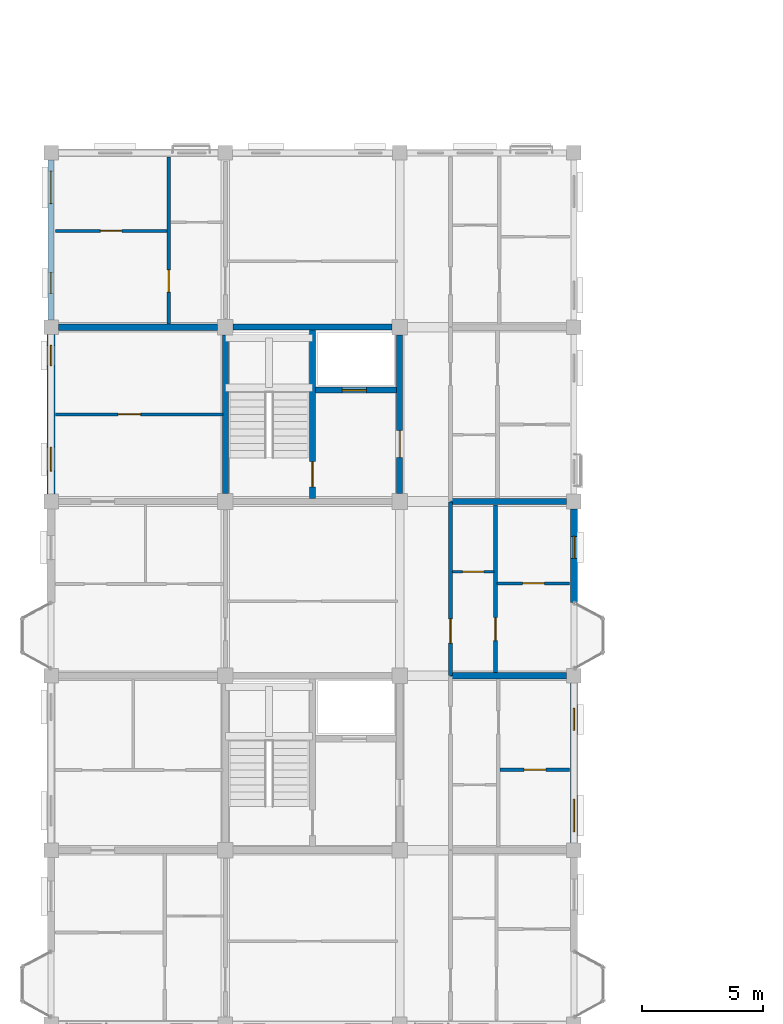
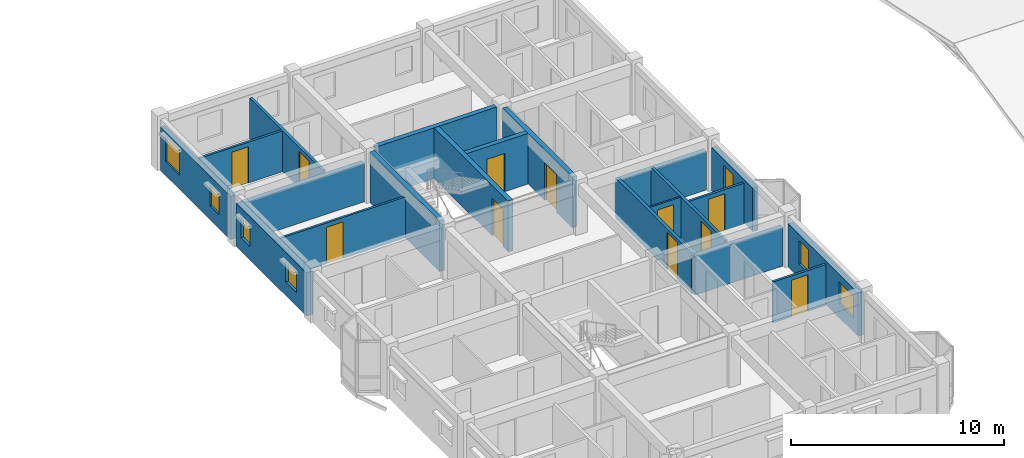
# One storey, part 97 of 124: 20 walls, 11 doors, 7 windows, 18 openings.
"""IFC4 building model written with IfcOpenShell, lengths in metres."""

from ifc_helpers import new_model, si_unit, direction, frame, frame_2d, origin, place, context, subcontext, project, spatial, rectangle, extrude, material, layer, layer_set, type_object, element, fill, save


model = new_model("IFC4")

# Units and contexts
model_context = context("Model", 3, precision=1e-05, world=origin(), true_north=direction((0.0, 1.0)))
body_context = subcontext(model_context, "Body", "Model", "MODEL_VIEW")
ifc_project = project(units=[si_unit("LENGTHUNIT", "METRE"), si_unit("AREAUNIT", "SQUARE_METRE"), si_unit("VOLUMEUNIT", "CUBIC_METRE"), si_unit("PLANEANGLEUNIT", "RADIAN"), si_unit("MASSUNIT", "GRAM", prefix="KILO"), si_unit("THERMODYNAMICTEMPERATUREUNIT", "KELVIN"), si_unit("POWERUNIT", "WATT")], contexts=[model_context])

# Site, building, storey
site_placement = place(None, origin())
site = spatial("IfcSite", under=ifc_project, at=site_placement, CompositionType="ELEMENT")
building_placement = place(site_placement, origin())
building = spatial("IfcBuilding", under=site, at=building_placement, Name="Tavuni Mirador Residences", CompositionType="ELEMENT")
storey_placement = place(building_placement, frame((0.0, 0.0, 7.64990234375)))
storey = spatial("IfcBuildingStorey", under=building, at=storey_placement, Name="L02", CompositionType="ELEMENT", Elevation=7.64990234375)

# Walls
ifc_material_1 = material(Name="Precast concrete C40/50", Category="concrete")
ifc_layer_1 = layer(ifc_material_1, 0.25, Name="Precast concrete C40/50", Category="concrete")
ifc_layer_set_1 = layer_set([ifc_layer_1], Name="Precast concrete C40/50")
wall_type_1 = type_object("IfcWallType", Name="WT-COR250", PredefinedType="SHEAR", material=ifc_layer_set_1)
wall_1_placement = place(storey_placement, frame((10.800048828125, 86.72509765625, 0.0), z_axis=(0.0, 0.0, 1.0), x_axis=(0.0, 1.0, 0.0)))
element("IfcWall", 1, at=wall_1_placement, inside=storey, type_object=wall_type_1, Name="CWALL-C4-L02-W", PredefinedType="SHEAR", context=body_context, shape_type="SweptSolid", body=[
    extrude(rectangle(XDim=6.5498046875, YDim=0.25, at=frame_2d((3.27490234375, 0.0))), origin(), (0.0, 0.0, 1.0), 2.91015625),
])
wall_2_placement = place(storey_placement, frame((11.125, 93.60009765625, 0.0), z_axis=(0.0, 0.0, 1.0), x_axis=(1.0, 0.0, 0.0)))
element("IfcWall", 2, at=wall_2_placement, inside=storey, type_object=wall_type_1, Name="CWALL-C4-L02-N", PredefinedType="SHEAR", context=body_context, shape_type="SweptSolid", body=[
    extrude(rectangle(XDim=6.550048828125, YDim=0.25, at=frame_2d((3.27490234375, 0.0))), origin(), (0.0, 0.0, 1.0), 2.91015625),
])

# Wall, opening, door
wall_3_placement = place(storey_placement, frame((18.0, 86.72509765625, 0.0), z_axis=(0.0, 0.0, 1.0), x_axis=(0.0, 1.0, 0.0)))
wall_3 = element("IfcWall", 3, at=wall_3_placement, inside=storey, type_object=wall_type_1, Name="CWALL-C4-L02-E", PredefinedType="SHEAR", context=body_context, shape_type="SweptSolid", body=[
    extrude(rectangle(XDim=6.5498046875, YDim=0.25, at=frame_2d((3.27490234375, 0.0))), origin(), (0.0, 0.0, 1.0), 2.91015625),
])
opening_1_placement = place(wall_3_placement, frame((1.5, 0.0, 0.0)))
opening_1 = element("IfcOpeningElement", 4, at=opening_1_placement, cuts=wall_3, Name="Opening D-02", PredefinedType="OPENING", context=body_context, shape_type="SweptSolid", body=[
    extrude(rectangle(XDim=1.10009765625, YDim=2.14990234375, at=frame_2d((0.550048828125, 1.074951171875))), frame((0.0, 0.135009765625, 0.0), z_axis=(0.0, -1.0, 0.0), x_axis=(1.0, 0.0, 0.0)), (0.0, 0.0, 1.0), 0.27001953125),
])
ifc_material_2 = material(Name="Solid core iroko timber", Category="wood")
door_type_1 = type_object("IfcDoorType", Name="DT-LOB1100", OperationType="NOTDEFINED", PredefinedType="DOOR", material=ifc_material_2)
door_1_placement = place(opening_1_placement, frame((1.10009765625, 0.0, 0.0), z_axis=(0.0, 0.0, 1.0), x_axis=(-1.0, 0.0, 0.0)))
door_1 = element("IfcDoor", 5, at=door_1_placement, inside=storey, type_object=door_type_1, Name="DR-2150", OperationType="SINGLE_SWING_LEFT", OverallHeight=2.14990234375, OverallWidth=1.10009765625, PredefinedType="DOOR", context=body_context, shape_type="SweptSolid", body=[
    extrude(rectangle(XDim=1.10009765625, YDim=2.14990234375, at=frame_2d((0.550048828125, 1.074951171875))), frame((0.0, 0.02490234375, 0.0), z_axis=(0.0, -1.0, 0.0), x_axis=(1.0, 0.0, 0.0)), (0.0, 0.0, 1.0), 0.050048828125),
])
fill(opening_1, door_1)

wall_4_placement = place(storey_placement, frame((14.39990234375, 86.52490234375, 0.0), z_axis=(0.0, 0.0, 1.0), x_axis=(0.0, 1.0, 0.0)))
wall_4 = element("IfcWall", 6, at=wall_4_placement, inside=storey, type_object=wall_type_1, Name="CWALL-C4-L02-MID", PredefinedType="SHEAR", context=body_context, shape_type="SweptSolid", body=[
    extrude(rectangle(XDim=6.9501953125, YDim=0.25, at=frame_2d((3.47509765625, 0.0))), origin(), (0.0, 0.0, 1.0), 2.91015625),
])
opening_2_placement = place(wall_4_placement, frame((0.47509765625, 0.0, 0.0)))
opening_2 = element("IfcOpeningElement", 7, at=opening_2_placement, cuts=wall_4, Name="Opening D-01", PredefinedType="OPENING", context=body_context, shape_type="SweptSolid", body=[
    extrude(rectangle(XDim=1.050048828125, YDim=2.14990234375, at=frame_2d((0.52490234375, 1.074951171875))), frame((0.0, 0.135009765625, 0.0), z_axis=(0.0, -1.0, 0.0), x_axis=(1.0, 0.0, 0.0)), (0.0, 0.0, 1.0), 0.27001953125),
])
door_type_2 = type_object("IfcDoorType", Name="DT-ST1050", OperationType="NOTDEFINED", PredefinedType="DOOR", material=ifc_material_2)
door_2_placement = place(opening_2_placement, origin())
door_2 = element("IfcDoor", 8, at=door_2_placement, inside=storey, type_object=door_type_2, Name="DR-2151", OperationType="SINGLE_SWING_LEFT", OverallHeight=2.14990234375, OverallWidth=1.050048828125, PredefinedType="DOOR", context=body_context, shape_type="SweptSolid", body=[
    extrude(rectangle(XDim=1.050048828125, YDim=2.14990234375, at=frame_2d((0.52490234375, 1.074951171875))), frame((0.0, 0.02490234375, 0.0), z_axis=(0.0, -1.0, 0.0), x_axis=(1.0, 0.0, 0.0)), (0.0, 0.0, 1.0), 0.050048828125),
])
fill(opening_2, door_2)

wall_5_placement = place(storey_placement, frame((14.52490234375, 91.0, 0.0), z_axis=(0.0, 0.0, 1.0), x_axis=(1.0, 0.0, 0.0)))
wall_5 = element("IfcWall", 9, at=wall_5_placement, inside=storey, type_object=wall_type_1, Name="CWALL-C4-L02-SHF", PredefinedType="SHEAR", context=body_context, shape_type="SweptSolid", body=[
    extrude(rectangle(XDim=3.35009765625, YDim=0.25, at=frame_2d((1.675048828125, 0.0))), origin(), (0.0, 0.0, 1.0), 2.91015625),
])
opening_3_placement = place(wall_5_placement, frame((1.10009765625, 0.0, 0.0)))
opening_3 = element("IfcOpeningElement", 10, at=opening_3_placement, cuts=wall_5, Name="Opening LD-02", PredefinedType="OPENING", context=body_context, shape_type="SweptSolid", body=[
    extrude(rectangle(XDim=1.0, YDim=2.199951171875, at=frame_2d((0.5, 1.10009765625))), frame((0.0, 0.135009765625, 0.0), z_axis=(0.0, -1.0, 0.0), x_axis=(1.0, 0.0, 0.0)), (0.0, 0.0, 1.0), 0.27001953125),
])
ifc_material_3 = material(Name="Structural steel S355", Category="steel")
door_type_3 = type_object("IfcDoorType", Name="DT-LD-PAX", OperationType="SLIDING_TO_LEFT", PredefinedType="DOOR", material=ifc_material_3)
door_3_placement = place(opening_3_placement, origin())
door_3 = element("IfcDoor", 11, at=door_3_placement, inside=storey, type_object=door_type_3, Name="Lift landing door PL-B2 L02", OperationType="SLIDING_TO_LEFT", OverallHeight=2.199951171875, OverallWidth=1.0, PredefinedType="DOOR", context=body_context, shape_type="SweptSolid", body=[
    extrude(rectangle(XDim=1.0, YDim=2.199951171875, at=frame_2d((0.5, 1.10009765625))), frame((0.0, 0.02490234375, 0.0), z_axis=(0.0, -1.0, 0.0), x_axis=(1.0, 0.0, 0.0)), (0.0, 0.0, 1.0), 0.050048828125),
])
fill(opening_3, door_3)

ifc_layer_2 = layer(ifc_material_1, 0.1650390625, Name="Precast concrete C40/50", Category="concrete")
ifc_layer_set_2 = layer_set([ifc_layer_2], Name="Precast concrete C40/50")
wall_type_2 = type_object("IfcWallType", Name="WT-CORR165", PredefinedType="PARTITIONING", material=ifc_layer_set_2)
wall_6_placement = place(storey_placement, frame((20.10009765625, 79.219970703125, 0.0), z_axis=(0.0, 0.0, 1.0), x_axis=(0.0, 1.0, 0.0)))
wall_6 = element("IfcWall", 12, at=wall_6_placement, inside=storey, type_object=wall_type_2, Name="CORW-BLK-B-L02-0-02", PredefinedType="PARTITIONING", context=body_context, shape_type="SweptSolid", body=[
    extrude(rectangle(XDim=7.159912109375, YDim=0.1650390625, at=frame_2d((3.580078125, 0.0))), origin(), (0.0, 0.0, 1.0), 2.34521484375),
])
opening_4_placement = place(wall_6_placement, frame((1.330078125, 0.0, 0.0)))
opening_4 = element("IfcOpeningElement", 13, at=opening_4_placement, cuts=wall_6, Name="Opening D-03", PredefinedType="OPENING", context=body_context, shape_type="SweptSolid", body=[
    extrude(rectangle(XDim=1.0, YDim=2.14990234375, at=frame_2d((0.5, 1.074951171875))), frame((0.0, 0.092529296875, 0.0), z_axis=(0.0, -1.0, 0.0), x_axis=(1.0, 0.0, 0.0)), (0.0, 0.0, 1.0), 0.18505859375),
])
door_type_4 = type_object("IfcDoorType", Name="DT-FD60-1000", OperationType="NOTDEFINED", PredefinedType="DOOR", material=ifc_material_2)
door_4_placement = place(opening_4_placement, origin())
door_4 = element("IfcDoor", 14, at=door_4_placement, inside=storey, type_object=door_type_4, Name="DR-2547", OperationType="SINGLE_SWING_RIGHT", OverallHeight=2.14990234375, OverallWidth=1.0, PredefinedType="DOOR", context=body_context, shape_type="SweptSolid", body=[
    extrude(rectangle(XDim=1.0, YDim=2.14990234375, at=frame_2d((0.5, 1.074951171875))), frame((0.0, 0.02490234375, 0.0), z_axis=(0.0, -1.0, 0.0), x_axis=(1.0, 0.0, 0.0)), (0.0, 0.0, 1.0), 0.050048828125),
])
fill(opening_4, door_4)

# Wall, openings, windows
ifc_material_4 = material(Name="Sgraffito lime-rendered precast concrete C40/50", Category="concrete")
ifc_layer_3 = layer(ifc_material_4, 0.2451171875, Name="Sgraffito lime-rendered precast concrete C40/50", Category="concrete")
ifc_layer_set_3 = layer_set([ifc_layer_3], Name="Sgraffito lime-rendered precast concrete C40/50")
wall_type_3 = type_object("IfcWallType", Name="WT-EXT-PC245", PredefinedType="SOLIDWALL", material=ifc_layer_set_3)
wall_7_placement = place(storey_placement, frame((3.60009765625, 100.5, 0.0), z_axis=(0.0, 0.0, 1.0), x_axis=(0.0, -1.0, 0.0)))
wall_7 = element("IfcWall", 15, at=wall_7_placement, inside=storey, type_object=wall_type_3, Name="EW-BLK-B-L02-W04", PredefinedType="SOLIDWALL", context=body_context, shape_type="SweptSolid", body=[
    extrude(rectangle(XDim=6.60009765625, YDim=0.2451171875, at=frame_2d((3.300048828125, 0.0))), origin(), (0.0, 0.0, 1.0), 2.47998046875),
])
opening_5_placement = place(wall_7_placement, frame((0.449951171875, 0.0, 0.780029296875)))
opening_5 = element("IfcOpeningElement", 16, at=opening_5_placement, cuts=wall_7, Name="Opening WN-29", PredefinedType="OPENING", context=body_context, shape_type="SweptSolid", body=[
    extrude(rectangle(XDim=1.35009765625, YDim=1.43994140625, at=frame_2d((0.675048828125, 0.719970703125))), frame((0.0, 0.132568359375, 0.0), z_axis=(0.0, -1.0, 0.0), x_axis=(1.0, 0.0, 0.0)), (0.0, 0.0, 1.0), 0.26513671875),
])
opening_6_placement = place(wall_7_placement, frame((4.64990234375, 0.0, 0.780029296875)))
opening_6 = element("IfcOpeningElement", 17, at=opening_6_placement, cuts=wall_7, Name="Opening WN-01", PredefinedType="OPENING", context=body_context, shape_type="SweptSolid", body=[
    extrude(rectangle(XDim=0.85009765625, YDim=1.14990234375, at=frame_2d((0.425048828125, 0.574951171875))), frame((0.0, 0.132568359375, 0.0), z_axis=(0.0, -1.0, 0.0), x_axis=(1.0, 0.0, 0.0)), (0.0, 0.0, 1.0), 0.26513671875),
])
ifc_material_5 = material(Name="Laminated solar-control glass", Category="glass")
window_type_1 = type_object("IfcWindowType", Name="WNT-01", PartitioningType="SINGLE_PANEL", PredefinedType="WINDOW", material=ifc_material_5)
window_1_placement = place(opening_6_placement, origin())
window_1 = element("IfcWindow", 18, at=window_1_placement, inside=storey, type_object=window_type_1, Name="WIN-0627", OverallHeight=1.14990234375, OverallWidth=0.85009765625, PartitioningType="SINGLE_PANEL", PredefinedType="WINDOW", context=body_context, shape_type="SweptSolid", body=[
    extrude(rectangle(XDim=0.85009765625, YDim=1.14990234375, at=frame_2d((0.425048828125, 0.574951171875))), frame((0.0, 0.030029296875, 0.0), z_axis=(0.0, -1.0, 0.0), x_axis=(1.0, 0.0, 0.0)), (0.0, 0.0, 1.0), 0.06005859375),
])
fill(opening_6, window_1)
window_type_2 = type_object("IfcWindowType", Name="WNT-29", PartitioningType="SINGLE_PANEL", PredefinedType="WINDOW", material=ifc_material_5)
window_2_placement = place(opening_5_placement, origin())
window_2 = element("IfcWindow", 19, at=window_2_placement, inside=storey, type_object=window_type_2, Name="WIN-0626", OverallHeight=1.43994140625, OverallWidth=1.35009765625, PartitioningType="SINGLE_PANEL", PredefinedType="WINDOW", context=body_context, shape_type="SweptSolid", body=[
    extrude(rectangle(XDim=1.35009765625, YDim=1.43994140625, at=frame_2d((0.675048828125, 0.719970703125))), frame((0.0, 0.030029296875, 0.0), z_axis=(0.0, -1.0, 0.0), x_axis=(1.0, 0.0, 0.0)), (0.0, 0.0, 1.0), 0.06005859375),
])
fill(opening_5, window_2)

# Wall, opening, window
ifc_layer_4 = layer(ifc_material_4, 0.27490234375, Name="Sgraffito lime-rendered precast concrete C40/50", Category="concrete")
ifc_layer_set_4 = layer_set([ifc_layer_4], Name="Sgraffito lime-rendered precast concrete C40/50")
wall_type_4 = type_object("IfcWallType", Name="WT-EXT-PC275", PredefinedType="SOLIDWALL", material=ifc_layer_set_4)
wall_8_placement = place(storey_placement, frame((25.199951171875, 82.219970703125, 0.0), z_axis=(0.0, 0.0, 1.0), x_axis=(0.0, 1.0, 0.0)))
wall_8 = element("IfcWall", 20, at=wall_8_placement, inside=storey, type_object=wall_type_4, Name="EW-BLK-B-L02-E02", PredefinedType="SOLIDWALL", context=body_context, shape_type="SweptSolid", body=[
    extrude(rectangle(XDim=3.880126953125, YDim=0.27490234375, at=frame_2d((1.93994140625, 0.0))), origin(), (0.0, 0.0, 1.0), 2.47998046875),
])
opening_7_placement = place(wall_8_placement, frame((1.8349609375, 0.0, 0.780029296875)))
opening_7 = element("IfcOpeningElement", 21, at=opening_7_placement, cuts=wall_8, Name="Opening WN-17", PredefinedType="OPENING", context=body_context, shape_type="SweptSolid", body=[
    extrude(rectangle(XDim=0.89990234375, YDim=1.360107421875, at=frame_2d((0.449951171875, 0.68017578125))), frame((0.0, 0.1474609375, 0.0), z_axis=(0.0, -1.0, 0.0), x_axis=(1.0, 0.0, 0.0)), (0.0, 0.0, 1.0), 0.294921875),
])
window_type_3 = type_object("IfcWindowType", Name="WNT-17", PartitioningType="SINGLE_PANEL", PredefinedType="WINDOW", material=ifc_material_5)
window_3_placement = place(opening_7_placement, origin())
window_3 = element("IfcWindow", 22, at=window_3_placement, inside=storey, type_object=window_type_3, Name="WIN-0614", OverallHeight=1.360107421875, OverallWidth=0.89990234375, PartitioningType="SINGLE_PANEL", PredefinedType="WINDOW", context=body_context, shape_type="SweptSolid", body=[
    extrude(rectangle(XDim=0.89990234375, YDim=1.360107421875, at=frame_2d((0.449951171875, 0.68017578125))), frame((0.0, 0.030029296875, 0.0), z_axis=(0.0, -1.0, 0.0), x_axis=(1.0, 0.0, 0.0)), (0.0, 0.0, 1.0), 0.06005859375),
])
fill(opening_7, window_3)

# Wall, openings, windows
ifc_layer_5 = layer(ifc_material_4, 0.2900390625, Name="Sgraffito lime-rendered precast concrete C40/50", Category="concrete")
ifc_layer_set_5 = layer_set([ifc_layer_5], Name="Sgraffito lime-rendered precast concrete C40/50")
wall_type_5 = type_object("IfcWallType", Name="WT-EXT-PC290", PredefinedType="SOLIDWALL", material=ifc_layer_set_5)
wall_9_placement = place(storey_placement, frame((25.199951171875, 72.300048828125, 0.0), z_axis=(0.0, 0.0, 1.0), x_axis=(0.0, 1.0, 0.0)))
wall_9 = element("IfcWall", 23, at=wall_9_placement, inside=storey, type_object=wall_type_5, Name="EW-BLK-B-L02-E01", PredefinedType="SOLIDWALL", context=body_context, shape_type="SweptSolid", body=[
    extrude(rectangle(XDim=6.599853515625, YDim=0.2900390625, at=frame_2d((3.2998046875, 0.0))), origin(), (0.0, 0.0, 1.0), 2.47998046875),
])
opening_8_placement = place(wall_9_placement, frame((0.449951171875, 0.0, 0.780029296875)))
opening_8 = element("IfcOpeningElement", 24, at=opening_8_placement, cuts=wall_9, Name="Opening WN-15", PredefinedType="OPENING", context=body_context, shape_type="SweptSolid", body=[
    extrude(rectangle(XDim=1.360107421875, YDim=1.260009765625, at=frame_2d((0.68017578125, 0.6298828125))), frame((0.0, 0.155029296875, 0.0), z_axis=(0.0, -1.0, 0.0), x_axis=(1.0, 0.0, 0.0)), (0.0, 0.0, 1.0), 0.31005859375),
])
opening_9_placement = place(wall_9_placement, frame((4.64990234375, 0.0, 0.780029296875)))
opening_9 = element("IfcOpeningElement", 25, at=opening_9_placement, cuts=wall_9, Name="Opening WN-17", PredefinedType="OPENING", context=body_context, shape_type="SweptSolid", body=[
    extrude(rectangle(XDim=0.89990234375, YDim=1.360107421875, at=frame_2d((0.449951171875, 0.68017578125))), frame((0.0, 0.155029296875, 0.0), z_axis=(0.0, -1.0, 0.0), x_axis=(1.0, 0.0, 0.0)), (0.0, 0.0, 1.0), 0.31005859375),
])
window_type_4 = type_object("IfcWindowType", Name="WNT-15", PartitioningType="SINGLE_PANEL", PredefinedType="WINDOW", material=ifc_material_5)
window_4_placement = place(opening_8_placement, origin())
window_4 = element("IfcWindow", 26, at=window_4_placement, inside=storey, type_object=window_type_4, Name="WIN-0612", OverallHeight=1.260009765625, OverallWidth=1.360107421875, PartitioningType="SINGLE_PANEL", PredefinedType="WINDOW", context=body_context, shape_type="SweptSolid", body=[
    extrude(rectangle(XDim=1.360107421875, YDim=1.260009765625, at=frame_2d((0.68017578125, 0.6298828125))), frame((0.0, 0.030029296875, 0.0), z_axis=(0.0, -1.0, 0.0), x_axis=(1.0, 0.0, 0.0)), (0.0, 0.0, 1.0), 0.06005859375),
])
fill(opening_8, window_4)
window_5_placement = place(opening_9_placement, origin())
window_5 = element("IfcWindow", 27, at=window_5_placement, inside=storey, type_object=window_type_3, Name="WIN-0613", OverallHeight=1.360107421875, OverallWidth=0.89990234375, PartitioningType="SINGLE_PANEL", PredefinedType="WINDOW", context=body_context, shape_type="SweptSolid", body=[
    extrude(rectangle(XDim=0.89990234375, YDim=1.360107421875, at=frame_2d((0.449951171875, 0.68017578125))), frame((0.0, 0.030029296875, 0.0), z_axis=(0.0, -1.0, 0.0), x_axis=(1.0, 0.0, 0.0)), (0.0, 0.0, 1.0), 0.06005859375),
])
fill(opening_9, window_5)

ifc_layer_6 = layer(ifc_material_4, 0.344970703125, Name="Sgraffito lime-rendered precast concrete C40/50", Category="concrete")
ifc_layer_set_6 = layer_set([ifc_layer_6], Name="Sgraffito lime-rendered precast concrete C40/50")
wall_type_6 = type_object("IfcWallType", Name="WT-EXT-PTY345", PredefinedType="SOLIDWALL", material=ifc_layer_set_6)
wall_10_placement = place(storey_placement, frame((3.60009765625, 93.300048828125, 0.0), z_axis=(0.0, 0.0, 1.0), x_axis=(0.0, -1.0, 0.0)))
wall_10 = element("IfcWall", 28, at=wall_10_placement, inside=storey, type_object=wall_type_6, Name="EW-BLK-B-L02-W03", PredefinedType="SOLIDWALL", context=body_context, shape_type="SweptSolid", body=[
    extrude(rectangle(XDim=6.60009765625, YDim=0.344970703125, at=frame_2d((3.300048828125, 0.0))), origin(), (0.0, 0.0, 1.0), 2.47998046875),
])
opening_10_placement = place(wall_10_placement, frame((0.449951171875, 0.0, 0.780029296875)))
opening_10 = element("IfcOpeningElement", 29, at=opening_10_placement, cuts=wall_10, Name="Opening WN-01", PredefinedType="OPENING", context=body_context, shape_type="SweptSolid", body=[
    extrude(rectangle(XDim=0.85009765625, YDim=1.14990234375, at=frame_2d((0.425048828125, 0.574951171875))), frame((0.0, 0.1826171875, 0.0), z_axis=(0.0, -1.0, 0.0), x_axis=(1.0, 0.0, 0.0)), (0.0, 0.0, 1.0), 0.364990234375),
])
opening_11_placement = place(wall_10_placement, frame((4.64990234375, 0.0, 0.780029296875)))
opening_11 = element("IfcOpeningElement", 30, at=opening_11_placement, cuts=wall_10, Name="Opening WN-03", PredefinedType="OPENING", context=body_context, shape_type="SweptSolid", body=[
    extrude(rectangle(XDim=1.0, YDim=1.14990234375, at=frame_2d((0.5, 0.574951171875))), frame((0.0, 0.1826171875, 0.0), z_axis=(0.0, -1.0, 0.0), x_axis=(1.0, 0.0, 0.0)), (0.0, 0.0, 1.0), 0.364990234375),
])
window_6_placement = place(opening_10_placement, origin())
window_6 = element("IfcWindow", 31, at=window_6_placement, inside=storey, type_object=window_type_1, Name="WIN-0628", OverallHeight=1.14990234375, OverallWidth=0.85009765625, PartitioningType="SINGLE_PANEL", PredefinedType="WINDOW", context=body_context, shape_type="SweptSolid", body=[
    extrude(rectangle(XDim=0.85009765625, YDim=1.14990234375, at=frame_2d((0.425048828125, 0.574951171875))), frame((0.0, 0.030029296875, 0.0), z_axis=(0.0, -1.0, 0.0), x_axis=(1.0, 0.0, 0.0)), (0.0, 0.0, 1.0), 0.06005859375),
])
fill(opening_10, window_6)
window_type_5 = type_object("IfcWindowType", Name="WNT-03", PartitioningType="SINGLE_PANEL", PredefinedType="WINDOW", material=ifc_material_5)
window_7_placement = place(opening_11_placement, origin())
window_7 = element("IfcWindow", 32, at=window_7_placement, inside=storey, type_object=window_type_5, Name="WIN-0629", OverallHeight=1.14990234375, OverallWidth=1.0, PartitioningType="SINGLE_PANEL", PredefinedType="WINDOW", context=body_context, shape_type="SweptSolid", body=[
    extrude(rectangle(XDim=1.0, YDim=1.14990234375, at=frame_2d((0.5, 0.574951171875))), frame((0.0, 0.030029296875, 0.0), z_axis=(0.0, -1.0, 0.0), x_axis=(1.0, 0.0, 0.0)), (0.0, 0.0, 1.0), 0.06005859375),
])
fill(opening_11, window_7)

# Wall, opening, door
ifc_material_6 = material(Name="Acoustic gypsum and concrete block partition", Category="concrete")
ifc_layer_7 = layer(ifc_material_6, 0.094970703125, Name="Acoustic gypsum and concrete block partition", Category="concrete")
ifc_layer_set_7 = layer_set([ifc_layer_7], Name="Acoustic gypsum and concrete block partition")
wall_type_7 = type_object("IfcWallType", Name="WT-PART095", PredefinedType="PARTITIONING", material=ifc_layer_set_7)
wall_11_placement = place(storey_placement, frame((20.18994140625, 83.5, 0.0), z_axis=(0.0, 0.0, 1.0), x_axis=(1.0, 0.0, 0.0)))
wall_11 = element("IfcWall", 33, at=wall_11_placement, inside=storey, type_object=wall_type_7, Name="PW-BLK-B-L02-E02-IN1", PredefinedType="PARTITIONING", context=body_context, shape_type="SweptSolid", body=[
    extrude(rectangle(XDim=1.699951171875, YDim=0.094970703125, at=frame_2d((0.85009765625, 0.0))), origin(), (0.0, 0.0, 1.0), 2.34521484375),
])
opening_12_placement = place(wall_11_placement, frame((0.4150390625, 0.0, 0.0)))
opening_12 = element("IfcOpeningElement", 34, at=opening_12_placement, cuts=wall_11, Name="Opening D-10", PredefinedType="OPENING", context=body_context, shape_type="SweptSolid", body=[
    extrude(rectangle(XDim=0.8701171875, YDim=2.050048828125, at=frame_2d((0.43505859375, 1.02490234375))), frame((0.0, 0.0576171875, 0.0), z_axis=(0.0, -1.0, 0.0), x_axis=(1.0, 0.0, 0.0)), (0.0, 0.0, 1.0), 0.114990234375),
])
door_type_5 = type_object("IfcDoorType", Name="DT-WC870", OperationType="NOTDEFINED", PredefinedType="DOOR", material=ifc_material_2)
door_5_placement = place(opening_12_placement, origin())
door_5 = element("IfcDoor", 35, at=door_5_placement, inside=storey, type_object=door_type_5, Name="DR-3488", OperationType="SINGLE_SWING_RIGHT", OverallHeight=2.050048828125, OverallWidth=0.8701171875, PredefinedType="DOOR", context=body_context, shape_type="SweptSolid", body=[
    extrude(rectangle(XDim=0.8701171875, YDim=2.050048828125, at=frame_2d((0.43505859375, 1.02490234375))), frame((0.0, 0.02490234375, 0.0), z_axis=(0.0, -1.0, 0.0), x_axis=(1.0, 0.0, 0.0)), (0.0, 0.0, 1.0), 0.050048828125),
])
fill(opening_12, door_5)

ifc_layer_8 = layer(ifc_material_6, 0.114990234375, Name="Acoustic gypsum and concrete block partition", Category="concrete")
ifc_layer_set_8 = layer_set([ifc_layer_8], Name="Acoustic gypsum and concrete block partition")
wall_type_8 = type_object("IfcWallType", Name="WT-PART115", PredefinedType="PARTITIONING", material=ifc_layer_set_8)
wall_12_placement = place(storey_placement, frame((3.77490234375, 90.0, 0.0), z_axis=(0.0, 0.0, 1.0), x_axis=(1.0, 0.0, 0.0)))
wall_12 = element("IfcWall", 36, at=wall_12_placement, inside=storey, type_object=wall_type_8, Name="PW-BLK-B-L02-PF03-H", PredefinedType="PARTITIONING", context=body_context, shape_type="SweptSolid", body=[
    extrude(rectangle(XDim=6.93505859375, YDim=0.114990234375, at=frame_2d((3.467529296875, 0.0))), origin(), (0.0, 0.0, 1.0), 2.34521484375),
])
opening_13_placement = place(wall_12_placement, frame((2.60009765625, 0.0, 0.0)))
opening_13 = element("IfcOpeningElement", 37, at=opening_13_placement, cuts=wall_12, Name="Opening D-06", PredefinedType="OPENING", context=body_context, shape_type="SweptSolid", body=[
    extrude(rectangle(XDim=0.919921875, YDim=2.10009765625, at=frame_2d((0.4599609375, 1.050048828125))), frame((0.0, 0.0673828125, 0.0), z_axis=(0.0, -1.0, 0.0), x_axis=(1.0, 0.0, 0.0)), (0.0, 0.0, 1.0), 0.135009765625),
])
door_type_6 = type_object("IfcDoorType", Name="DT-INT920", OperationType="NOTDEFINED", PredefinedType="DOOR", material=ifc_material_2)
door_6_placement = place(opening_13_placement, origin())
door_6 = element("IfcDoor", 38, at=door_6_placement, inside=storey, type_object=door_type_6, Name="DR-3490", OperationType="SINGLE_SWING_RIGHT", OverallHeight=2.10009765625, OverallWidth=0.919921875, PredefinedType="DOOR", context=body_context, shape_type="SweptSolid", body=[
    extrude(rectangle(XDim=0.919921875, YDim=2.10009765625, at=frame_2d((0.4599609375, 1.050048828125))), frame((0.0, 0.02490234375, 0.0), z_axis=(0.0, -1.0, 0.0), x_axis=(1.0, 0.0, 0.0)), (0.0, 0.0, 1.0), 0.050048828125),
])
fill(opening_13, door_6)

ifc_layer_9 = layer(ifc_material_6, 0.125, Name="Acoustic gypsum and concrete block partition", Category="concrete")
ifc_layer_set_9 = layer_set([ifc_layer_9], Name="Acoustic gypsum and concrete block partition")
wall_type_9 = type_object("IfcWallType", Name="WT-PART125", PredefinedType="PARTITIONING", material=ifc_layer_set_9)
wall_13_placement = place(storey_placement, frame((22.14990234375, 75.320068359375, 0.0), z_axis=(0.0, 0.0, 1.0), x_axis=(1.0, 0.0, 0.0)))
wall_13 = element("IfcWall", 39, at=wall_13_placement, inside=storey, type_object=wall_type_9, Name="PW-BLK-B-L02-E01-OUT", PredefinedType="PARTITIONING", context=body_context, shape_type="SweptSolid", body=[
    extrude(rectangle(XDim=2.875, YDim=0.125, at=frame_2d((1.4375, 0.0))), origin(), (0.0, 0.0, 1.0), 2.34521484375),
])
opening_14_placement = place(wall_13_placement, frame((0.987548828125, 0.0, 0.0)))
opening_14 = element("IfcOpeningElement", 40, at=opening_14_placement, cuts=wall_13, Name="Opening D-07", PredefinedType="OPENING", context=body_context, shape_type="SweptSolid", body=[
    extrude(rectangle(XDim=0.89990234375, YDim=2.10009765625, at=frame_2d((0.449951171875, 1.050048828125))), frame((0.0, 0.072509765625, 0.0), z_axis=(0.0, -1.0, 0.0), x_axis=(1.0, 0.0, 0.0)), (0.0, 0.0, 1.0), 0.14501953125),
])
door_type_7 = type_object("IfcDoorType", Name="DT-BED900", OperationType="NOTDEFINED", PredefinedType="DOOR", material=ifc_material_2)
door_7_placement = place(opening_14_placement, origin())
door_7 = element("IfcDoor", 41, at=door_7_placement, inside=storey, type_object=door_type_7, Name="DR-3481", OperationType="SINGLE_SWING_LEFT", OverallHeight=2.10009765625, OverallWidth=0.89990234375, PredefinedType="DOOR", context=body_context, shape_type="SweptSolid", body=[
    extrude(rectangle(XDim=0.89990234375, YDim=2.10009765625, at=frame_2d((0.449951171875, 1.050048828125))), frame((0.0, 0.02490234375, 0.0), z_axis=(0.0, -1.0, 0.0), x_axis=(1.0, 0.0, 0.0)), (0.0, 0.0, 1.0), 0.050048828125),
])
fill(opening_14, door_7)

wall_14_placement = place(storey_placement, frame((22.030029296875, 83.02001953125, 0.0), z_axis=(0.0, 0.0, 1.0), x_axis=(1.0, 0.0, 0.0)))
wall_14 = element("IfcWall", 42, at=wall_14_placement, inside=storey, type_object=wall_type_9, Name="PW-BLK-B-L02-E02-OUT", PredefinedType="PARTITIONING", context=body_context, shape_type="SweptSolid", body=[
    extrude(rectangle(XDim=2.994873046875, YDim=0.125, at=frame_2d((1.49755859375, 0.0))), origin(), (0.0, 0.0, 1.0), 2.34521484375),
])
opening_15_placement = place(wall_14_placement, frame((1.047607421875, 0.0, 0.0)))
opening_15 = element("IfcOpeningElement", 43, at=opening_15_placement, cuts=wall_14, Name="Opening D-07", PredefinedType="OPENING", context=body_context, shape_type="SweptSolid", body=[
    extrude(rectangle(XDim=0.89990234375, YDim=2.10009765625, at=frame_2d((0.449951171875, 1.050048828125))), frame((0.0, 0.072509765625, 0.0), z_axis=(0.0, -1.0, 0.0), x_axis=(1.0, 0.0, 0.0)), (0.0, 0.0, 1.0), 0.14501953125),
])
door_8_placement = place(opening_15_placement, origin())
door_8 = element("IfcDoor", 44, at=door_8_placement, inside=storey, type_object=door_type_7, Name="DR-3487", OperationType="SINGLE_SWING_LEFT", OverallHeight=2.10009765625, OverallWidth=0.89990234375, PredefinedType="DOOR", context=body_context, shape_type="SweptSolid", body=[
    extrude(rectangle(XDim=0.89990234375, YDim=2.10009765625, at=frame_2d((0.449951171875, 1.050048828125))), frame((0.0, 0.02490234375, 0.0), z_axis=(0.0, -1.0, 0.0), x_axis=(1.0, 0.0, 0.0)), (0.0, 0.0, 1.0), 0.050048828125),
])
fill(opening_15, door_8)

wall_15_placement = place(storey_placement, frame((3.77490234375, 97.580078125, 0.0), z_axis=(0.0, 0.0, 1.0), x_axis=(1.0, 0.0, 0.0)))
wall_15 = element("IfcWall", 45, at=wall_15_placement, inside=storey, type_object=wall_type_9, Name="PW-BLK-B-L02-W04-OUT", PredefinedType="PARTITIONING", context=body_context, shape_type="SweptSolid", body=[
    extrude(rectangle(XDim=4.614990234375, YDim=0.125, at=frame_2d((2.3076171875, 0.0))), origin(), (0.0, 0.0, 1.0), 2.34521484375),
])
opening_16_placement = place(wall_15_placement, frame((1.867431640625, 0.0, 0.0)))
opening_16 = element("IfcOpeningElement", 46, at=opening_16_placement, cuts=wall_15, Name="Opening D-08", PredefinedType="OPENING", context=body_context, shape_type="SweptSolid", body=[
    extrude(rectangle(XDim=0.8798828125, YDim=2.080078125, at=frame_2d((0.43994140625, 1.0400390625))), frame((0.0, 0.072509765625, 0.0), z_axis=(0.0, -1.0, 0.0), x_axis=(1.0, 0.0, 0.0)), (0.0, 0.0, 1.0), 0.14501953125),
])
door_type_8 = type_object("IfcDoorType", Name="DT-BED880", OperationType="NOTDEFINED", PredefinedType="DOOR", material=ifc_material_2)
door_9_placement = place(opening_16_placement, origin())
door_9 = element("IfcDoor", 47, at=door_9_placement, inside=storey, type_object=door_type_8, Name="DR-3495", OperationType="SINGLE_SWING_RIGHT", OverallHeight=2.080078125, OverallWidth=0.8798828125, PredefinedType="DOOR", context=body_context, shape_type="SweptSolid", body=[
    extrude(rectangle(XDim=0.8798828125, YDim=2.080078125, at=frame_2d((0.43994140625, 1.0400390625))), frame((0.0, 0.02490234375, 0.0), z_axis=(0.0, -1.0, 0.0), x_axis=(1.0, 0.0, 0.0)), (0.0, 0.0, 1.0), 0.050048828125),
])
fill(opening_16, door_9)

ifc_layer_10 = layer(ifc_material_6, 0.14990234375, Name="Acoustic gypsum and concrete block partition", Category="concrete")
ifc_layer_set_10 = layer_set([ifc_layer_10], Name="Acoustic gypsum and concrete block partition")
wall_type_10 = type_object("IfcWallType", Name="WT-PART150", PredefinedType="PARTITIONING", material=ifc_layer_set_10)
wall_16_placement = place(storey_placement, frame((21.9599609375, 79.340087890625, 0.0), z_axis=(0.0, 0.0, 1.0), x_axis=(0.0, 1.0, 0.0)))
wall_16 = element("IfcWall", 48, at=wall_16_placement, inside=storey, type_object=wall_type_10, Name="PW-BLK-B-L02-E02-MID", PredefinedType="PARTITIONING", context=body_context, shape_type="SweptSolid", body=[
    extrude(rectangle(XDim=6.919921875, YDim=0.14990234375, at=frame_2d((3.4599609375, 0.0))), origin(), (0.0, 0.0, 1.0), 2.34521484375),
])
opening_17_placement = place(wall_16_placement, frame((1.31005859375, 0.0, 0.0)))
opening_17 = element("IfcOpeningElement", 49, at=opening_17_placement, cuts=wall_16, Name="Opening D-05", PredefinedType="OPENING", context=body_context, shape_type="SweptSolid", body=[
    extrude(rectangle(XDim=0.949951171875, YDim=2.10009765625, at=frame_2d((0.47509765625, 1.050048828125))), frame((0.0, 0.0849609375, 0.0), z_axis=(0.0, -1.0, 0.0), x_axis=(1.0, 0.0, 0.0)), (0.0, 0.0, 1.0), 0.169921875),
])
door_type_9 = type_object("IfcDoorType", Name="DT-INT950", OperationType="NOTDEFINED", PredefinedType="DOOR", material=ifc_material_2)
door_10_placement = place(opening_17_placement, origin())
door_10 = element("IfcDoor", 50, at=door_10_placement, inside=storey, type_object=door_type_9, Name="DR-3489", OperationType="SINGLE_SWING_LEFT", OverallHeight=2.10009765625, OverallWidth=0.949951171875, PredefinedType="DOOR", context=body_context, shape_type="SweptSolid", body=[
    extrude(rectangle(XDim=0.949951171875, YDim=2.10009765625, at=frame_2d((0.47509765625, 1.050048828125))), frame((0.0, 0.02490234375, 0.0), z_axis=(0.0, -1.0, 0.0), x_axis=(1.0, 0.0, 0.0)), (0.0, 0.0, 1.0), 0.050048828125),
])
fill(opening_17, door_10)

wall_17_placement = place(storey_placement, frame((8.4599609375, 93.739990234375, 0.0), z_axis=(0.0, 0.0, 1.0), x_axis=(0.0, 1.0, 0.0)))
wall_17 = element("IfcWall", 51, at=wall_17_placement, inside=storey, type_object=wall_type_10, Name="PW-BLK-B-L02-W04-MID", PredefinedType="PARTITIONING", context=body_context, shape_type="SweptSolid", body=[
    extrude(rectangle(XDim=6.885009765625, YDim=0.14990234375, at=frame_2d((3.4423828125, 0.0))), origin(), (0.0, 0.0, 1.0), 2.34521484375),
])
opening_18_placement = place(wall_17_placement, frame((1.31005859375, 0.0, 0.0)))
opening_18 = element("IfcOpeningElement", 52, at=opening_18_placement, cuts=wall_17, Name="Opening D-06", PredefinedType="OPENING", context=body_context, shape_type="SweptSolid", body=[
    extrude(rectangle(XDim=0.919921875, YDim=2.10009765625, at=frame_2d((0.4599609375, 1.050048828125))), frame((0.0, 0.0849609375, 0.0), z_axis=(0.0, -1.0, 0.0), x_axis=(1.0, 0.0, 0.0)), (0.0, 0.0, 1.0), 0.169921875),
])
door_11_placement = place(opening_18_placement, origin())
door_11 = element("IfcDoor", 53, at=door_11_placement, inside=storey, type_object=door_type_6, Name="DR-3497", OperationType="SINGLE_SWING_RIGHT", OverallHeight=2.10009765625, OverallWidth=0.919921875, PredefinedType="DOOR", context=body_context, shape_type="SweptSolid", body=[
    extrude(rectangle(XDim=0.919921875, YDim=2.10009765625, at=frame_2d((0.4599609375, 1.050048828125))), frame((0.0, 0.02490234375, 0.0), z_axis=(0.0, -1.0, 0.0), x_axis=(1.0, 0.0, 0.0)), (0.0, 0.0, 1.0), 0.050048828125),
])
fill(opening_18, door_11)

# Walls
ifc_layer_11 = layer(ifc_material_1, 0.264892578125, Name="Precast concrete C40/50", Category="concrete")
ifc_layer_set_11 = layer_set([ifc_layer_11], Name="Precast concrete C40/50")
wall_type_11 = type_object("IfcWallType", Name="WT-XW265", PredefinedType="SOLIDWALL", material=ifc_layer_set_11)
for number, where, z_axis, x_axis, name in (
    (54, (20.10009765625, 79.199951171875, 0.0), (0.0, 0.0, 1.0), (1.0, 0.0, 0.0), "XW-BLK-B-L02-E-02"),
    (55, (20.10009765625, 86.39990234375, 0.0), (0.0, 0.0, 1.0), (1.0, 0.0, 0.0), "XW-BLK-B-L02-E-03"),
):
    element("IfcWall", number, at=place(storey_placement, frame(where, z_axis=z_axis, x_axis=x_axis)), inside=storey, type_object=wall_type_11, Name=name, PredefinedType="SOLIDWALL", context=body_context, shape_type="SweptSolid", body=[
        extrude(rectangle(XDim=4.7998046875, YDim=0.264892578125, at=frame_2d((2.39990234375, 0.0))), origin(), (0.0, 0.0, 1.0), 2.210205078125),
    ])
wall_18_placement = place(storey_placement, frame((3.89990234375, 93.60009765625, 0.0), z_axis=(0.0, 0.0, 1.0), x_axis=(1.0, 0.0, 0.0)))
element("IfcWall", 56, at=wall_18_placement, inside=storey, type_object=wall_type_11, Name="XW-BLK-B-L02-W-04", PredefinedType="SOLIDWALL", context=body_context, shape_type="SweptSolid", body=[
    extrude(rectangle(XDim=6.5751953125, YDim=0.264892578125, at=frame_2d((3.28759765625, 0.0))), origin(), (0.0, 0.0, 1.0), 2.210205078125),
])

save(model, "model.ifc")
